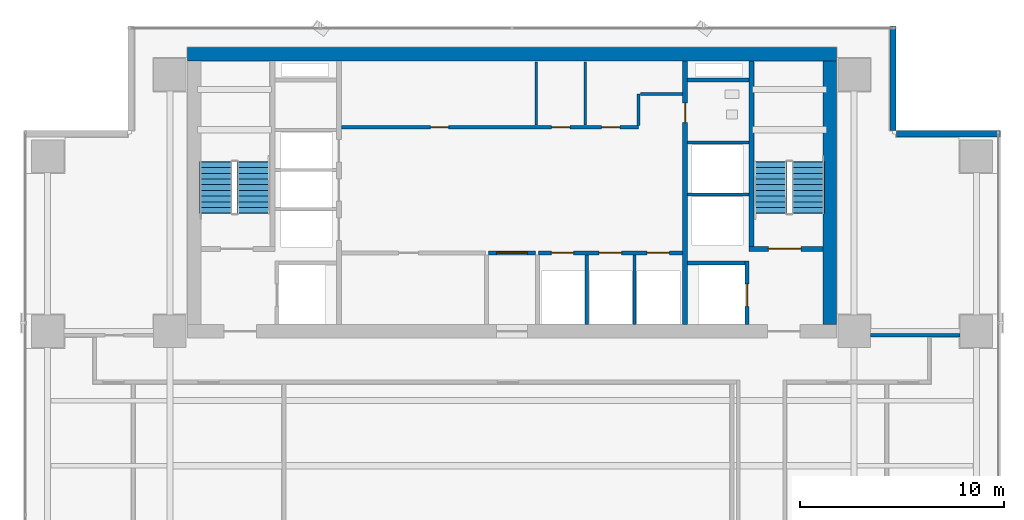
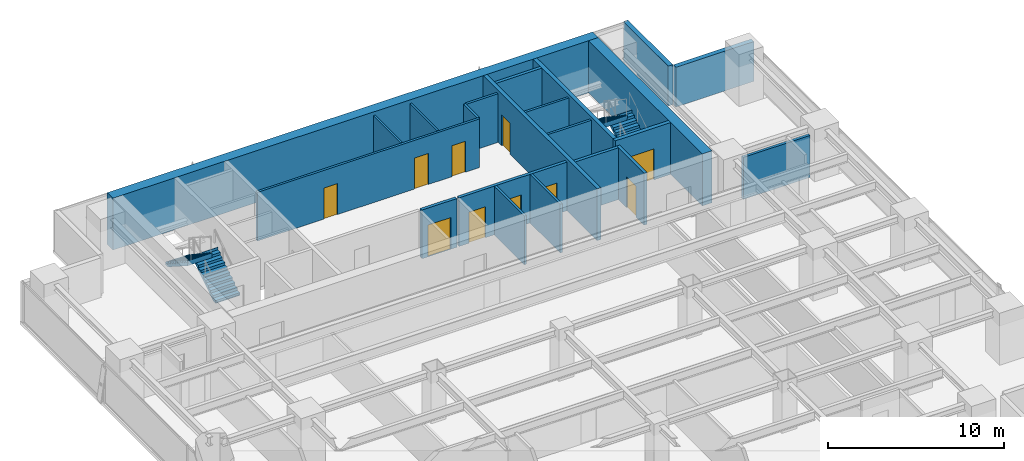
# One storey, part 22 of 28: 22 walls, 10 doors, 4 stair flights, 10 openings, 2 elements without a shape of their own.
"""IFC4 building model written with IfcOpenShell, lengths in metres."""

from ifc_helpers import new_model, si_unit, direction, frame, frame_2d, origin, place, context, subcontext, project, spatial, polyline, rectangle, outline, extrude, source, transform, mapped, material, layer, layer_set, type_object, element, fill, aggregate, save


model = new_model("IFC4")

# Units and contexts
model_context = context("Model", 3, precision=1e-05, world=origin(), true_north=direction((0.0, 1.0)))
body_context = subcontext(model_context, "Body", "Model", "MODEL_VIEW")
ifc_project = project(units=[si_unit("LENGTHUNIT", "METRE"), si_unit("AREAUNIT", "SQUARE_METRE"), si_unit("VOLUMEUNIT", "CUBIC_METRE"), si_unit("PLANEANGLEUNIT", "RADIAN"), si_unit("MASSUNIT", "GRAM", prefix="KILO")], contexts=[model_context])

# Site, building, storey
site_placement = place(None, origin())
site = spatial("IfcSite", under=ifc_project, at=site_placement, CompositionType="ELEMENT")
building_placement = place(site_placement, origin())
building = spatial("IfcBuilding", under=site, at=building_placement, Name="Sumidabori Civic Tower", CompositionType="ELEMENT")
storey_placement = place(building_placement, frame((0.0, 0.0, 174.800048828125)))
storey = spatial("IfcBuildingStorey", under=building, at=storey_placement, Name="L45", CompositionType="ELEMENT", Elevation=174.800048828125)

# Walls
ifc_material_1 = material(Name="Concrete C50/60", Category="concrete")
ifc_layer_1 = layer(ifc_material_1, 0.199951171875, Name="Concrete C50/60")
ifc_layer_set_1 = layer_set([ifc_layer_1], Name="Concrete C50/60")
wall_type_1 = type_object("IfcWallType", Name="WL-SHAFT-200", PredefinedType="SHEAR", material=ifc_layer_set_1)
shared_shape_1 = source(origin(), body_context, "Body", "SweptSolid", [
    extrude(rectangle(XDim=2.824951171875, YDim=0.199951171875, at=frame_2d((1.41259765625, 0.0))), origin(), (0.0, 0.0, 1.0), 3.599853515625),
])
wall_1_placement = place(storey_placement, frame((8.625, 13.550048828125, 0.0), z_axis=(0.0, 0.0, 1.0), x_axis=(1.0, 0.0, 0.0)))
element("IfcWall", 1, at=wall_1_placement, inside=storey, type_object=wall_type_1, Name="Core Shear Wall L45 EL2-N", PredefinedType="SHEAR", context=body_context, shape_type="MappedRepresentation", body=[
    mapped(shared_shape_1, transform((0.0, 0.0, 0.0), x_axis=(1.0, 0.0, 0.0), y_axis=(0.0, 1.0, 0.0), z_axis=(0.0, 0.0, 1.0), scale=1.0)),
])
shared_shape_2 = source(origin(), body_context, "Body", "SweptSolid", [
    extrude(rectangle(XDim=3.02001953125, YDim=0.199951171875, at=frame_2d((1.510009765625, 0.0))), origin(), (0.0, 0.0, 1.0), 3.599853515625),
])
wall_2_placement = place(storey_placement, frame((8.625, 22.550048828125, 0.0), z_axis=(0.0, 0.0, 1.0), x_axis=(1.0, 0.0, 0.0)))
element("IfcWall", 2, at=wall_2_placement, inside=storey, type_object=wall_type_1, Name="Core Shear Wall L45 RIS2-S", PredefinedType="SHEAR", context=body_context, shape_type="MappedRepresentation", body=[
    mapped(shared_shape_2, transform((0.0, 0.0, 0.0), x_axis=(1.0, 0.0, 0.0), y_axis=(0.0, 1.0, 0.0), z_axis=(0.0, 0.0, 1.0), scale=1.0)),
])
ifc_material_2 = material(Name="Concrete C60/75", Category="concrete")
ifc_layer_2 = layer(ifc_material_2, 0.64990234375, Name="Concrete C60/75")
ifc_layer_set_2 = layer_set([ifc_layer_2], Name="Concrete C60/75")
wall_type_2 = type_object("IfcWallType", Name="WL-CORE-650", PredefinedType="SHEAR", material=ifc_layer_set_2)
shared_shape_3 = source(origin(), body_context, "Body", "SweptSolid", [
    extrude(rectangle(XDim=31.85009765625, YDim=0.64990234375, at=frame_2d((15.925048828125, 0.0))), origin(), (0.0, 0.0, 1.0), 3.599853515625),
])
wall_3_placement = place(storey_placement, frame((-15.925048828125, 23.800048828125, 0.0), z_axis=(0.0, 0.0, 1.0), x_axis=(1.0, 0.0, 0.0)))
element("IfcWall", 3, at=wall_3_placement, inside=storey, type_object=wall_type_2, Name="Core Shear Wall L45 N", PredefinedType="SHEAR", context=body_context, shape_type="MappedRepresentation", body=[
    mapped(shared_shape_3, transform((0.0, 0.0, 0.0), x_axis=(1.0, 0.0, 0.0), y_axis=(0.0, 1.0, 0.0), z_axis=(0.0, 0.0, 1.0), scale=1.0)),
])
shared_shape_4 = source(origin(), body_context, "Body", "SweptSolid", [
    extrude(rectangle(XDim=12.9501953125, YDim=0.64990234375, at=frame_2d((6.47509765625, 0.0))), origin(), (0.0, 0.0, 1.0), 3.599853515625),
])
wall_4_placement = place(storey_placement, frame((15.60009765625, 10.52490234375, 0.0), z_axis=(0.0, 0.0, 1.0), x_axis=(0.0, 1.0, 0.0)))
element("IfcWall", 4, at=wall_4_placement, inside=storey, type_object=wall_type_2, Name="Core Shear Wall L45 E", PredefinedType="SHEAR", context=body_context, shape_type="MappedRepresentation", body=[
    mapped(shared_shape_4, transform((0.0, 0.0, 0.0), x_axis=(1.0, 0.0, 0.0), y_axis=(0.0, 1.0, 0.0), z_axis=(0.0, 0.0, 1.0), scale=1.0)),
])

# Wall, opening, door
ifc_layer_3 = layer(ifc_material_1, 0.25, Name="Concrete C50/60")
ifc_layer_set_3 = layer_set([ifc_layer_3], Name="Concrete C50/60")
wall_type_3 = type_object("IfcWallType", Name="WL-SHAFT-250", PredefinedType="SHEAR", material=ifc_layer_set_3)
shared_shape_5 = source(origin(), body_context, "Body", "SweptSolid", [
    extrude(rectangle(XDim=12.9501953125, YDim=0.25, at=frame_2d((6.47509765625, 0.0))), origin(), (0.0, 0.0, 1.0), 3.599853515625),
])
wall_5_placement = place(storey_placement, frame((8.5, 10.52490234375, 0.0), z_axis=(0.0, 0.0, 1.0), x_axis=(0.0, 1.0, 0.0)))
wall_5 = element("IfcWall", 5, at=wall_5_placement, inside=storey, type_object=wall_type_3, Name="Core Shear Wall L45 WEB-E", PredefinedType="SHEAR", context=body_context, shape_type="MappedRepresentation", body=[
    mapped(shared_shape_5, transform((0.0, 0.0, 0.0), x_axis=(1.0, 0.0, 0.0), y_axis=(0.0, 1.0, 0.0), z_axis=(0.0, 0.0, 1.0), scale=1.0)),
])
opening_1_placement = place(wall_5_placement, frame((9.925048828125, 0.0, 0.0)))
opening_1 = element("IfcOpeningElement", 6, at=opening_1_placement, cuts=wall_5, Name="Opening DR-2", PredefinedType="OPENING", context=body_context, shape_type="SweptSolid", body=[
    extrude(rectangle(XDim=0.949951171875, YDim=2.14990234375, at=frame_2d((0.47509765625, 1.074951171875))), frame((0.0, 0.136962890625, 0.0), z_axis=(0.0, -1.0, 0.0), x_axis=(1.0, 0.0, 0.0)), (0.0, 0.0, 1.0), 0.27392578125),
])
ifc_material_3 = material(Name="Japanese Hinoki Timber", Category="wood")
door_type_1 = type_object("IfcDoorType", Name="DR-INT-950", OperationType="NOTDEFINED", PredefinedType="DOOR", material=ifc_material_3)
shared_shape_6 = source(origin(), body_context, "Body", "SweptSolid", [
    extrude(rectangle(XDim=0.949951171875, YDim=2.14990234375, at=frame_2d((0.47509765625, 1.074951171875))), frame((0.0, 0.02490234375, 0.0), z_axis=(0.0, -1.0, 0.0), x_axis=(1.0, 0.0, 0.0)), (0.0, 0.0, 1.0), 0.050048828125),
])
door_1_placement = place(opening_1_placement, origin())
door_1 = element("IfcDoor", 7, at=door_1_placement, inside=storey, type_object=door_type_1, Name="Door DR:L45:WC-ACC", OperationType="SINGLE_SWING_RIGHT", OverallHeight=2.14990234375, OverallWidth=0.949951171875, PredefinedType="DOOR", context=body_context, shape_type="MappedRepresentation", body=[
    mapped(shared_shape_6, transform((0.0, 0.0, 0.0), x_axis=(1.0, 0.0, 0.0), y_axis=(0.0, 1.0, 0.0), z_axis=(0.0, 0.0, 1.0), scale=1.0)),
])
fill(opening_1, door_1)

shared_shape_7 = source(origin(), body_context, "Body", "SweptSolid", [
    extrude(rectangle(XDim=3.6298828125, YDim=0.25, at=frame_2d((1.81494140625, 0.0))), origin(), (0.0, 0.0, 1.0), 3.599853515625),
])
wall_6_placement = place(storey_placement, frame((11.64501953125, 14.25, 0.0), z_axis=(0.0, 0.0, 1.0), x_axis=(1.0, 0.0, 0.0)))
wall_6 = element("IfcWall", 8, at=wall_6_placement, inside=storey, type_object=wall_type_3, Name="Core Shear Wall L45 ST2-S", PredefinedType="SHEAR", context=body_context, shape_type="MappedRepresentation", body=[
    mapped(shared_shape_7, transform((0.0, 0.0, 0.0), x_axis=(1.0, 0.0, 0.0), y_axis=(0.0, 1.0, 0.0), z_axis=(0.0, 0.0, 1.0), scale=1.0)),
])
opening_2_placement = place(wall_6_placement, frame((0.949951171875, 0.0, 0.0)))
opening_2 = element("IfcOpeningElement", 9, at=opening_2_placement, cuts=wall_6, Name="Opening DR-FD4", PredefinedType="OPENING", context=body_context, shape_type="SweptSolid", body=[
    extrude(rectangle(XDim=1.60009765625, YDim=2.14990234375, at=frame_2d((0.800048828125, 1.074951171875))), frame((0.0, 0.136962890625, 0.0), z_axis=(0.0, -1.0, 0.0), x_axis=(1.0, 0.0, 0.0)), (0.0, 0.0, 1.0), 0.27392578125),
])
ifc_material_4 = material(Name="Steel SN490", Category="steel")
door_type_2 = type_object("IfcDoorType", Name="DR-FD4", OperationType="DOUBLE_DOOR_SINGLE_SWING", PredefinedType="DOOR", material=ifc_material_4)
shared_shape_8 = source(origin(), body_context, "Body", "SweptSolid", [
    extrude(rectangle(XDim=1.60009765625, YDim=2.14990234375, at=frame_2d((0.800048828125, 1.074951171875))), frame((0.0, 0.02490234375, 0.0), z_axis=(0.0, -1.0, 0.0), x_axis=(1.0, 0.0, 0.0)), (0.0, 0.0, 1.0), 0.050048828125),
])
door_2_placement = place(opening_2_placement, origin())
door_2 = element("IfcDoor", 10, at=door_2_placement, inside=storey, type_object=door_type_2, Name="Door DR:L45:ST2", OperationType="DOUBLE_DOOR_SINGLE_SWING", OverallHeight=2.14990234375, OverallWidth=1.60009765625, PredefinedType="DOOR", context=body_context, shape_type="MappedRepresentation", body=[
    mapped(shared_shape_8, transform((0.0, 0.0, 0.0), x_axis=(1.0, 0.0, 0.0), y_axis=(0.0, 1.0, 0.0), z_axis=(0.0, 0.0, 1.0), scale=1.0)),
])
fill(opening_2, door_2)

# Wall
shared_shape_9 = source(origin(), body_context, "Body", "SweptSolid", [
    extrude(rectangle(XDim=9.10009765625, YDim=0.25, at=frame_2d((4.550048828125, 0.0))), origin(), (0.0, 0.0, 1.0), 3.599853515625),
])
wall_7_placement = place(storey_placement, frame((11.77001953125, 14.375, 0.0), z_axis=(0.0, 0.0, 1.0), x_axis=(0.0, 1.0, 0.0)))
element("IfcWall", 11, at=wall_7_placement, inside=storey, type_object=wall_type_3, Name="Core Shear Wall L45 ST2-W", PredefinedType="SHEAR", context=body_context, shape_type="MappedRepresentation", body=[
    mapped(shared_shape_9, transform((0.0, 0.0, 0.0), x_axis=(1.0, 0.0, 0.0), y_axis=(0.0, 1.0, 0.0), z_axis=(0.0, 0.0, 1.0), scale=1.0)),
])

# Wall, opening, door
shared_shape_10 = source(origin(), body_context, "Body", "SweptSolid", [
    extrude(rectangle(XDim=3.125, YDim=0.199951171875, at=frame_2d((1.5625, 0.0))), origin(), (0.0, 0.0, 1.0), 3.599853515625),
])
wall_8_placement = place(storey_placement, frame((11.550048828125, 10.52490234375, 0.0), z_axis=(0.0, 0.0, 1.0), x_axis=(0.0, 1.0, 0.0)))
wall_8 = element("IfcWall", 12, at=wall_8_placement, inside=storey, type_object=wall_type_1, Name="Core Shear Wall L45 EL2-E", PredefinedType="SHEAR", context=body_context, shape_type="MappedRepresentation", body=[
    mapped(shared_shape_10, transform((0.0, 0.0, 0.0), x_axis=(1.0, 0.0, 0.0), y_axis=(0.0, 1.0, 0.0), z_axis=(0.0, 0.0, 1.0), scale=1.0)),
])
opening_3_placement = place(wall_8_placement, frame((0.89990234375, 0.0, 0.0)))
opening_3 = element("IfcOpeningElement", 13, at=opening_3_placement, cuts=wall_8, Name="Opening LD-2", PredefinedType="OPENING", context=body_context, shape_type="SweptSolid", body=[
    extrude(rectangle(XDim=1.10009765625, YDim=2.14990234375, at=frame_2d((0.550048828125, 1.074951171875))), frame((0.0, 0.11181640625, 0.0), z_axis=(0.0, -1.0, 0.0), x_axis=(1.0, 0.0, 0.0)), (0.0, 0.0, 1.0), 0.223876953125),
])
ifc_material_5 = material(Name="Stainless Steel Hairline Finish", Category="steel")
door_type_3 = type_object("IfcDoorType", Name="DR-LD2", OperationType="DOUBLE_DOOR_SLIDING", PredefinedType="DOOR", material=ifc_material_5)
shared_shape_11 = source(origin(), body_context, "Body", "SweptSolid", [
    extrude(rectangle(XDim=1.10009765625, YDim=2.14990234375, at=frame_2d((0.550048828125, 1.074951171875))), frame((0.0, 0.02490234375, 0.0), z_axis=(0.0, -1.0, 0.0), x_axis=(1.0, 0.0, 0.0)), (0.0, 0.0, 1.0), 0.050048828125),
])
door_3_placement = place(opening_3_placement, origin())
door_3 = element("IfcDoor", 14, at=door_3_placement, inside=storey, type_object=door_type_3, Name="Door DR:L45:LD-EL2", OperationType="DOUBLE_DOOR_SLIDING", OverallHeight=2.14990234375, OverallWidth=1.10009765625, PredefinedType="DOOR", context=body_context, shape_type="MappedRepresentation", body=[
    mapped(shared_shape_11, transform((0.0, 0.0, 0.0), x_axis=(1.0, 0.0, 0.0), y_axis=(0.0, 1.0, 0.0), z_axis=(0.0, 0.0, 1.0), scale=1.0)),
])
fill(opening_3, door_3)

# Walls
ifc_material_6 = material(Name="Precast concrete C40/50", Category="concrete")
ifc_layer_4 = layer(ifc_material_6, 0.300048828125, Name="Precast concrete C40/50")
ifc_layer_set_4 = layer_set([ifc_layer_4], Name="Precast concrete C40/50")
wall_type_4 = type_object("IfcWallType", Name="WL-EXT-POD300", PredefinedType="STANDARD", material=ifc_layer_set_4)
shared_shape_12 = source(origin(), body_context, "Body", "SweptSolid", [
    extrude(rectangle(XDim=5.10986328125, YDim=0.300048828125, at=frame_2d((2.554931640625, 0.0))), origin(), (0.0, 0.0, 1.0), 2.760009765625),
])
for number, where, z_axis, x_axis, name in (
    (15, (23.97998046875, 19.89990234375, 0.0), (0.0, 0.0, 1.0), (-1.0, 0.0, 0.0), "Notched Corner Spandrel Band L45-05"),
    (16, (18.699951171875, 20.070068359375, 0.0), (0.0, 0.0, 1.0), (0.0, 1.0, 0.0), "Notched Corner Spandrel Band L45-06"),
):
    element("IfcWall", number, at=place(storey_placement, frame(where, z_axis=z_axis, x_axis=x_axis)), inside=storey, type_object=wall_type_4, Name=name, PredefinedType="STANDARD", context=body_context, shape_type="MappedRepresentation", body=[
        mapped(shared_shape_12, transform((0.0, 0.0, 0.0), x_axis=(1.0, 0.0, 0.0), y_axis=(0.0, 1.0, 0.0), z_axis=(0.0, 0.0, 1.0), scale=1.0)),
    ])
ifc_material_7 = material(Name="Gypsum Plasterboard Acoustic Partition")
ifc_layer_5 = layer(ifc_material_7, 0.14990234375, Name="Gypsum Plasterboard Acoustic Partition")
ifc_layer_set_5 = layer_set([ifc_layer_5], Name="Gypsum Plasterboard Acoustic Partition")
wall_type_5 = type_object("IfcWallType", Name="WL-PART-150", PredefinedType="PARTITIONING", material=ifc_layer_set_5)
shared_shape_13 = source(origin(), body_context, "Body", "SweptSolid", [
    extrude(rectangle(XDim=3.010009765625, YDim=0.14990234375, at=frame_2d((1.5048828125, 0.0))), origin(), (0.0, 0.0, 1.0), 3.3798828125),
])
for number, where, z_axis, x_axis, name in (
    (17, (8.6298828125, 16.919921875, 0.0), (0.0, 0.0, 1.0), (1.0, 0.0, 0.0), "Interior Partition WL:L45:DIV-OBS1"),
    (18, (8.6298828125, 19.469970703125, 0.0), (0.0, 0.0, 1.0), (1.0, 0.0, 0.0), "Interior Partition WL:L45:DIV-OBS2"),
):
    element("IfcWall", number, at=place(storey_placement, frame(where, z_axis=z_axis, x_axis=x_axis)), inside=storey, type_object=wall_type_5, Name=name, PredefinedType="PARTITIONING", context=body_context, shape_type="MappedRepresentation", body=[
        mapped(shared_shape_13, transform((0.0, 0.0, 0.0), x_axis=(1.0, 0.0, 0.0), y_axis=(0.0, 1.0, 0.0), z_axis=(0.0, 0.0, 1.0), scale=1.0)),
    ])

# Wall, openings, doors
ifc_material_8 = material(Name="Gypsum Plasterboard Fire Partition")
ifc_layer_6 = layer(ifc_material_8, 0.199951171875, Name="Gypsum Plasterboard Fire Partition")
ifc_layer_set_6 = layer_set([ifc_layer_6], Name="Gypsum Plasterboard Fire Partition")
wall_type_6 = type_object("IfcWallType", Name="WL-PART-FIRE", PredefinedType="PARTITIONING", material=ifc_layer_set_6)
shared_shape_14 = source(origin(), body_context, "Body", "SweptSolid", [
    extrude(rectangle(XDim=7.070068359375, YDim=0.199951171875, at=frame_2d((3.53515625, 0.0))), origin(), (0.0, 0.0, 1.0), 3.3798828125),
])
wall_9_placement = place(storey_placement, frame((1.300048828125, 14.050048828125, 0.0), z_axis=(0.0, 0.0, 1.0), x_axis=(1.0, 0.0, 0.0)))
wall_9 = element("IfcWall", 19, at=wall_9_placement, inside=storey, type_object=wall_type_6, Name="Interior Partition WL:L45:CBAND-SE", PredefinedType="PARTITIONING", context=body_context, shape_type="MappedRepresentation", body=[
    mapped(shared_shape_14, transform((0.0, 0.0, 0.0), x_axis=(1.0, 0.0, 0.0), y_axis=(0.0, 1.0, 0.0), z_axis=(0.0, 0.0, 1.0), scale=1.0)),
])
opening_4_placement = place(wall_9_placement, frame((0.6298828125, 0.0, 0.0)))
opening_4 = element("IfcOpeningElement", 20, at=opening_4_placement, cuts=wall_9, Name="Opening LD-1", PredefinedType="OPENING", context=body_context, shape_type="SweptSolid", body=[
    extrude(rectangle(XDim=1.10009765625, YDim=2.14990234375, at=frame_2d((0.550048828125, 1.074951171875))), frame((0.0, 0.11181640625, 0.0), z_axis=(0.0, -1.0, 0.0), x_axis=(1.0, 0.0, 0.0)), (0.0, 0.0, 1.0), 0.223876953125),
])
opening_5_placement = place(wall_9_placement, frame((2.97998046875, 0.0, 0.0)))
opening_5 = element("IfcOpeningElement", 21, at=opening_5_placement, cuts=wall_9, Name="Opening LD-1", PredefinedType="OPENING", context=body_context, shape_type="SweptSolid", body=[
    extrude(rectangle(XDim=1.10009765625, YDim=2.14990234375, at=frame_2d((0.550048828125, 1.074951171875))), frame((0.0, 0.11181640625, 0.0), z_axis=(0.0, -1.0, 0.0), x_axis=(1.0, 0.0, 0.0)), (0.0, 0.0, 1.0), 0.223876953125),
])
opening_6_placement = place(wall_9_placement, frame((5.330078125, 0.0, 0.0)))
opening_6 = element("IfcOpeningElement", 22, at=opening_6_placement, cuts=wall_9, Name="Opening LD-1", PredefinedType="OPENING", context=body_context, shape_type="SweptSolid", body=[
    extrude(rectangle(XDim=1.10009765625, YDim=2.14990234375, at=frame_2d((0.550048828125, 1.074951171875))), frame((0.0, 0.11181640625, 0.0), z_axis=(0.0, -1.0, 0.0), x_axis=(1.0, 0.0, 0.0)), (0.0, 0.0, 1.0), 0.223876953125),
])
door_type_4 = type_object("IfcDoorType", Name="DR-LD1", OperationType="DOUBLE_DOOR_SLIDING", PredefinedType="DOOR", material=ifc_material_5)
door_4_placement = place(opening_4_placement, origin())
door_4 = element("IfcDoor", 23, at=door_4_placement, inside=storey, type_object=door_type_4, Name="Door DR:L45:LD-PLM1", OperationType="DOUBLE_DOOR_SLIDING", OverallHeight=2.14990234375, OverallWidth=1.10009765625, PredefinedType="DOOR", context=body_context, shape_type="MappedRepresentation", body=[
    mapped(shared_shape_11, transform((0.0, 0.0, 0.0), x_axis=(1.0, 0.0, 0.0), y_axis=(0.0, 1.0, 0.0), z_axis=(0.0, 0.0, 1.0), scale=1.0)),
])
fill(opening_4, door_4)
door_5_placement = place(opening_5_placement, origin())
door_5 = element("IfcDoor", 24, at=door_5_placement, inside=storey, type_object=door_type_4, Name="Door DR:L45:LD-PLM2", OperationType="DOUBLE_DOOR_SLIDING", OverallHeight=2.14990234375, OverallWidth=1.10009765625, PredefinedType="DOOR", context=body_context, shape_type="MappedRepresentation", body=[
    mapped(shared_shape_11, transform((0.0, 0.0, 0.0), x_axis=(1.0, 0.0, 0.0), y_axis=(0.0, 1.0, 0.0), z_axis=(0.0, 0.0, 1.0), scale=1.0)),
])
fill(opening_5, door_5)
door_6_placement = place(opening_6_placement, origin())
door_6 = element("IfcDoor", 25, at=door_6_placement, inside=storey, type_object=door_type_4, Name="Door DR:L45:LD-PLM3", OperationType="DOUBLE_DOOR_SLIDING", OverallHeight=2.14990234375, OverallWidth=1.10009765625, PredefinedType="DOOR", context=body_context, shape_type="MappedRepresentation", body=[
    mapped(shared_shape_11, transform((0.0, 0.0, 0.0), x_axis=(1.0, 0.0, 0.0), y_axis=(0.0, 1.0, 0.0), z_axis=(0.0, 0.0, 1.0), scale=1.0)),
])
fill(opening_6, door_6)

# Wall, opening, door
shared_shape_15 = source(origin(), body_context, "Body", "SweptSolid", [
    extrude(rectangle(XDim=2.2998046875, YDim=0.199951171875, at=frame_2d((1.14990234375, 0.0))), origin(), (0.0, 0.0, 1.0), 3.3798828125),
])
wall_10_placement = place(storey_placement, frame((-1.14990234375, 14.050048828125, 0.0), z_axis=(0.0, 0.0, 1.0), x_axis=(1.0, 0.0, 0.0)))
wall_10 = element("IfcWall", 26, at=wall_10_placement, inside=storey, type_object=wall_type_6, Name="Interior Partition WL:L45:THROAT-N", PredefinedType="PARTITIONING", context=body_context, shape_type="MappedRepresentation", body=[
    mapped(shared_shape_15, transform((0.0, 0.0, 0.0), x_axis=(1.0, 0.0, 0.0), y_axis=(0.0, 1.0, 0.0), z_axis=(0.0, 0.0, 1.0), scale=1.0)),
])
opening_7_placement = place(wall_10_placement, frame((0.39990234375, 0.0, 0.0)))
opening_7 = element("IfcOpeningElement", 27, at=opening_7_placement, cuts=wall_10, Name="Opening DR-FD3", PredefinedType="OPENING", context=body_context, shape_type="SweptSolid", body=[
    extrude(rectangle(XDim=1.5, YDim=2.199951171875, at=frame_2d((0.75, 1.10009765625))), frame((0.0, 0.11181640625, 0.0), z_axis=(0.0, -1.0, 0.0), x_axis=(1.0, 0.0, 0.0)), (0.0, 0.0, 1.0), 0.223876953125),
])
door_type_5 = type_object("IfcDoorType", Name="DR-FD-DBL", OperationType="DOUBLE_DOOR_SINGLE_SWING", PredefinedType="DOOR", material=ifc_material_4)
shared_shape_16 = source(origin(), body_context, "Body", "SweptSolid", [
    extrude(rectangle(XDim=1.5, YDim=2.199951171875, at=frame_2d((0.75, 1.10009765625))), frame((0.0, 0.02490234375, 0.0), z_axis=(0.0, -1.0, 0.0), x_axis=(1.0, 0.0, 0.0)), (0.0, 0.0, 1.0), 0.050048828125),
])
door_7_placement = place(opening_7_placement, origin())
door_7 = element("IfcDoor", 28, at=door_7_placement, inside=storey, type_object=door_type_5, Name="Door DR:L45:THROAT-IN", OperationType="DOUBLE_DOOR_SINGLE_SWING", OverallHeight=2.199951171875, OverallWidth=1.5, PredefinedType="DOOR", context=body_context, shape_type="MappedRepresentation", body=[
    mapped(shared_shape_16, transform((0.0, 0.0, 0.0), x_axis=(1.0, 0.0, 0.0), y_axis=(0.0, 1.0, 0.0), z_axis=(0.0, 0.0, 1.0), scale=1.0)),
])
fill(opening_7, door_7)

# Wall, openings, doors
shared_shape_17 = source(origin(), body_context, "Body", "SweptSolid", [
    extrude(rectangle(XDim=14.590087890625, YDim=0.14990234375, at=frame_2d((7.294921875, 0.0))), origin(), (0.0, 0.0, 1.0), 3.3798828125),
])
wall_11_placement = place(storey_placement, frame((-8.3701171875, 20.219970703125, 0.0), z_axis=(0.0, 0.0, 1.0), x_axis=(1.0, 0.0, 0.0)))
wall_11 = element("IfcWall", 29, at=wall_11_placement, inside=storey, type_object=wall_type_5, Name="Interior Partition WL:L45:CBAND-M", PredefinedType="PARTITIONING", context=body_context, shape_type="MappedRepresentation", body=[
    mapped(shared_shape_17, transform((0.0, 0.0, 0.0), x_axis=(1.0, 0.0, 0.0), y_axis=(0.0, 1.0, 0.0), z_axis=(0.0, 0.0, 1.0), scale=1.0)),
])
opening_8_placement = place(wall_11_placement, frame((4.360107421875, 0.0, 0.0)))
opening_8 = element("IfcOpeningElement", 30, at=opening_8_placement, cuts=wall_11, Name="Opening DR-1", PredefinedType="OPENING", context=body_context, shape_type="SweptSolid", body=[
    extrude(rectangle(XDim=0.89990234375, YDim=2.14990234375, at=frame_2d((0.449951171875, 1.074951171875))), frame((0.0, 0.0869140625, 0.0), z_axis=(0.0, -1.0, 0.0), x_axis=(1.0, 0.0, 0.0)), (0.0, 0.0, 1.0), 0.173828125),
])
opening_9_placement = place(wall_11_placement, frame((10.320068359375, 0.0, 0.0)))
opening_9 = element("IfcOpeningElement", 31, at=opening_9_placement, cuts=wall_11, Name="Opening DR-1", PredefinedType="OPENING", context=body_context, shape_type="SweptSolid", body=[
    extrude(rectangle(XDim=0.89990234375, YDim=2.14990234375, at=frame_2d((0.449951171875, 1.074951171875))), frame((0.0, 0.0869140625, 0.0), z_axis=(0.0, -1.0, 0.0), x_axis=(1.0, 0.0, 0.0)), (0.0, 0.0, 1.0), 0.173828125),
])
opening_10_placement = place(wall_11_placement, frame((12.77001953125, 0.0, 0.0)))
opening_10 = element("IfcOpeningElement", 32, at=opening_10_placement, cuts=wall_11, Name="Opening DR-1", PredefinedType="OPENING", context=body_context, shape_type="SweptSolid", body=[
    extrude(rectangle(XDim=0.89990234375, YDim=2.14990234375, at=frame_2d((0.449951171875, 1.074951171875))), frame((0.0, 0.0869140625, 0.0), z_axis=(0.0, -1.0, 0.0), x_axis=(1.0, 0.0, 0.0)), (0.0, 0.0, 1.0), 0.173828125),
])
door_type_6 = type_object("IfcDoorType", Name="DR-INT-900", OperationType="NOTDEFINED", PredefinedType="DOOR", material=ifc_material_3)
shared_shape_18 = source(origin(), body_context, "Body", "SweptSolid", [
    extrude(rectangle(XDim=0.89990234375, YDim=2.14990234375, at=frame_2d((0.449951171875, 1.074951171875))), frame((0.0, 0.02490234375, 0.0), z_axis=(0.0, -1.0, 0.0), x_axis=(1.0, 0.0, 0.0)), (0.0, 0.0, 1.0), 0.050048828125),
])
door_8_placement = place(opening_8_placement, origin())
door_8 = element("IfcDoor", 33, at=door_8_placement, inside=storey, type_object=door_type_6, Name="Door DR:L45:CB-1", OperationType="SINGLE_SWING_LEFT", OverallHeight=2.14990234375, OverallWidth=0.89990234375, PredefinedType="DOOR", context=body_context, shape_type="MappedRepresentation", body=[
    mapped(shared_shape_18, transform((0.0, 0.0, 0.0), x_axis=(1.0, 0.0, 0.0), y_axis=(0.0, 1.0, 0.0), z_axis=(0.0, 0.0, 1.0), scale=1.0)),
])
fill(opening_8, door_8)
door_9_placement = place(opening_9_placement, origin())
door_9 = element("IfcDoor", 34, at=door_9_placement, inside=storey, type_object=door_type_6, Name="Door DR:L45:CB-2", OperationType="SINGLE_SWING_RIGHT", OverallHeight=2.14990234375, OverallWidth=0.89990234375, PredefinedType="DOOR", context=body_context, shape_type="MappedRepresentation", body=[
    mapped(shared_shape_18, transform((0.0, 0.0, 0.0), x_axis=(1.0, 0.0, 0.0), y_axis=(0.0, 1.0, 0.0), z_axis=(0.0, 0.0, 1.0), scale=1.0)),
])
fill(opening_9, door_9)
door_10_placement = place(opening_10_placement, origin())
door_10 = element("IfcDoor", 35, at=door_10_placement, inside=storey, type_object=door_type_6, Name="Door DR:L45:CB-3", OperationType="SINGLE_SWING_LEFT", OverallHeight=2.14990234375, OverallWidth=0.89990234375, PredefinedType="DOOR", context=body_context, shape_type="MappedRepresentation", body=[
    mapped(shared_shape_18, transform((0.0, 0.0, 0.0), x_axis=(1.0, 0.0, 0.0), y_axis=(0.0, 1.0, 0.0), z_axis=(0.0, 0.0, 1.0), scale=1.0)),
])
fill(opening_10, door_10)

# Walls
shared_shape_19 = source(origin(), body_context, "Body", "SweptSolid", [
    extrude(rectangle(XDim=1.550048828125, YDim=0.14990234375, at=frame_2d((0.77490234375, 0.0))), origin(), (0.0, 0.0, 1.0), 3.3798828125),
])
wall_12_placement = place(storey_placement, frame((6.219970703125, 20.300048828125, 0.0), z_axis=(0.0, 0.0, 1.0), x_axis=(0.0, 1.0, 0.0)))
element("IfcWall", 36, at=wall_12_placement, inside=storey, type_object=wall_type_5, Name="Interior Partition WL:L45:CBAND-ME1", PredefinedType="PARTITIONING", context=body_context, shape_type="MappedRepresentation", body=[
    mapped(shared_shape_19, transform((0.0, 0.0, 0.0), x_axis=(1.0, 0.0, 0.0), y_axis=(0.0, 1.0, 0.0), z_axis=(0.0, 0.0, 1.0), scale=1.0)),
])
shared_shape_20 = source(origin(), body_context, "Body", "SweptSolid", [
    extrude(rectangle(XDim=2.070068359375, YDim=0.14990234375, at=frame_2d((1.03515625, 0.0))), origin(), (0.0, 0.0, 1.0), 3.3798828125),
])
wall_13_placement = place(storey_placement, frame((6.300048828125, 21.85009765625, 0.0), z_axis=(0.0, 0.0, 1.0), x_axis=(1.0, 0.0, 0.0)))
element("IfcWall", 37, at=wall_13_placement, inside=storey, type_object=wall_type_5, Name="Interior Partition WL:L45:CBAND-ME2", PredefinedType="PARTITIONING", context=body_context, shape_type="MappedRepresentation", body=[
    mapped(shared_shape_20, transform((0.0, 0.0, 0.0), x_axis=(1.0, 0.0, 0.0), y_axis=(0.0, 1.0, 0.0), z_axis=(0.0, 0.0, 1.0), scale=1.0)),
])
shared_shape_21 = source(origin(), body_context, "Body", "SweptSolid", [
    extrude(rectangle(XDim=3.4150390625, YDim=0.14990234375, at=frame_2d((1.70751953125, 0.0))), origin(), (0.0, 0.0, 1.0), 3.3798828125),
])
for number, where, z_axis, x_axis, name in (
    (38, (3.669921875, 10.52490234375, 0.0), (0.0, 0.0, 1.0), (0.0, 1.0, 0.0), "Interior Partition WL:L45:DIV-PLM1"),
    (39, (6.02001953125, 10.52490234375, 0.0), (0.0, 0.0, 1.0), (0.0, 1.0, 0.0), "Interior Partition WL:L45:DIV-PLM2"),
):
    element("IfcWall", number, at=place(storey_placement, frame(where, z_axis=z_axis, x_axis=x_axis)), inside=storey, type_object=wall_type_5, Name=name, PredefinedType="PARTITIONING", context=body_context, shape_type="MappedRepresentation", body=[
        mapped(shared_shape_21, transform((0.0, 0.0, 0.0), x_axis=(1.0, 0.0, 0.0), y_axis=(0.0, 1.0, 0.0), z_axis=(0.0, 0.0, 1.0), scale=1.0)),
    ])
ifc_layer_7 = layer(ifc_material_7, 0.1201171875, Name="Gypsum Plasterboard Acoustic Partition")
ifc_layer_set_7 = layer_set([ifc_layer_7], Name="Gypsum Plasterboard Acoustic Partition")
wall_type_7 = type_object("IfcWallType", Name="WL-PART-120", PredefinedType="PARTITIONING", material=ifc_layer_set_7)
shared_shape_22 = source(origin(), body_context, "Body", "SweptSolid", [
    extrude(rectangle(XDim=3.114990234375, YDim=0.1201171875, at=frame_2d((1.5576171875, 0.0))), origin(), (0.0, 0.0, 1.0), 3.3798828125),
])
for number, where, z_axis, x_axis, name in (
    (40, (1.199951171875, 20.320068359375, 0.0), (0.0, 0.0, 1.0), (0.0, 1.0, 0.0), "Interior Partition WL:L45:LV8-S1"),
    (41, (3.60009765625, 20.320068359375, 0.0), (0.0, 0.0, 1.0), (0.0, 1.0, 0.0), "Interior Partition WL:L45:LV8-S2"),
):
    element("IfcWall", number, at=place(storey_placement, frame(where, z_axis=z_axis, x_axis=x_axis)), inside=storey, type_object=wall_type_7, Name=name, PredefinedType="PARTITIONING", context=body_context, shape_type="MappedRepresentation", body=[
        mapped(shared_shape_22, transform((0.0, 0.0, 0.0), x_axis=(1.0, 0.0, 0.0), y_axis=(0.0, 1.0, 0.0), z_axis=(0.0, 0.0, 1.0), scale=1.0)),
    ])
ifc_layer_8 = layer(ifc_material_7, 0.179931640625, Name="Gypsum Plasterboard Acoustic Partition")
ifc_layer_set_8 = layer_set([ifc_layer_8], Name="Gypsum Plasterboard Acoustic Partition")
wall_type_8 = type_object("IfcWallType", Name="WL-PART-180", PredefinedType="PARTITIONING", material=ifc_layer_set_8)
shared_shape_23 = source(origin(), body_context, "Body", "SweptSolid", [
    extrude(rectangle(XDim=4.3798828125, YDim=0.179931640625, at=frame_2d((2.18994140625, 0.0))), origin(), (0.0, 0.0, 1.0), 2.9150390625),
])
wall_14_placement = place(storey_placement, frame((17.610107421875, 10.0, 0.0), z_axis=(0.0, 0.0, 1.0), x_axis=(1.0, 0.0, 0.0)))
element("IfcWall", 42, at=wall_14_placement, inside=storey, type_object=wall_type_8, Name="Interior Partition WL:L45:FLK-NE", PredefinedType="PARTITIONING", context=body_context, shape_type="MappedRepresentation", body=[
    mapped(shared_shape_23, transform((0.0, 0.0, 0.0), x_axis=(1.0, 0.0, 0.0), y_axis=(0.0, 1.0, 0.0), z_axis=(0.0, 0.0, 1.0), scale=1.0)),
])

# Stair, stair flights
ifc_material_9 = material(Name="Concrete C40/50", Category="concrete")
stair_type = type_object("IfcStairType", Name="ST-CORE-1600", PredefinedType="HALF_TURN_STAIR", material=ifc_material_9)
stair_1_placement = place(storey_placement, origin())
stair_1 = element("IfcStair", 43, at=stair_1_placement, inside=storey, type_object=stair_type, Name="L45 ST-1", PredefinedType="HALF_TURN_STAIR")
stair_flight_type = type_object("IfcStairFlightType", Name="SF-CORE-1600", PredefinedType="STRAIGHT", material=ifc_material_9)
shared_shape_24 = source(origin(), body_context, "Body", "SweptSolid", [
    extrude(outline(polyline([(-0.02490234375, 0.0), (-0.02490234375, 0.0400390625), (0.0, 0.0400390625), (0.0, 0.179931640625), (0.280029296875, 0.179931640625), (0.280029296875, 0.360107421875), (0.56005859375, 0.360107421875), (0.56005859375, 0.5400390625), (0.840087890625, 0.5400390625), (0.840087890625, 0.719970703125), (1.1201171875, 0.719970703125), (1.1201171875, 0.89990234375), (1.39990234375, 0.89990234375), (1.39990234375, 1.080078125), (1.679931640625, 1.080078125), (1.679931640625, 1.260009765625), (1.9599609375, 1.260009765625), (1.9599609375, 1.43994140625), (2.239990234375, 1.43994140625), (2.239990234375, 1.6201171875), (2.52001953125, 1.6201171875), (2.52001953125, 1.800048828125), (2.544921875, 1.800048828125), (2.544921875, 1.650146484375), (2.52001953125, 1.44189453125), (0.277099609375, 0.0), (-0.02490234375, 0.0)])), frame((0.0, 0.800048828125, 0.0), z_axis=(0.0, -1.0, 0.0), x_axis=(1.0, 0.0, 0.0)), (0.0, 0.0, 1.0), 1.60009765625),
])
stair_flight_1_placement = place(storey_placement, frame((-12.699951171875, 16.0, 0.0), z_axis=(0.0, 0.0, 1.0), x_axis=(0.0, 1.0, 0.0)))
stair_flight_1 = element("IfcStairFlight", 44, at=stair_flight_1_placement, type_object=stair_flight_type, Name="ST-1 flight 1", NumberOfRisers=10, NumberOfTreads=9, PredefinedType="STRAIGHT", RiserHeight=0.18, TreadLength=0.28, context=body_context, shape_type="MappedRepresentation", body=[
    mapped(shared_shape_24, transform((0.0, 0.0, 0.0), x_axis=(1.0, 0.0, 0.0), y_axis=(0.0, 1.0, 0.0), z_axis=(0.0, 0.0, 1.0), scale=1.0)),
])
stair_flight_2_placement = place(storey_placement, frame((-14.5400390625, 18.52001953125, 1.800048828125), z_axis=(0.0, 0.0, 1.0), x_axis=(0.0, -1.0, 0.0)))
stair_flight_2 = element("IfcStairFlight", 45, at=stair_flight_2_placement, type_object=stair_flight_type, Name="ST-1 flight 2", NumberOfRisers=10, NumberOfTreads=9, PredefinedType="STRAIGHT", RiserHeight=0.18, TreadLength=0.28, context=body_context, shape_type="MappedRepresentation", body=[
    mapped(shared_shape_24, transform((0.0, 0.0, 0.0), x_axis=(1.0, 0.0, 0.0), y_axis=(0.0, 1.0, 0.0), z_axis=(0.0, 0.0, 1.0), scale=1.0)),
])
aggregate(stair_1, [stair_flight_1, stair_flight_2])

stair_2_placement = place(storey_placement, origin())
stair_2 = element("IfcStair", 46, at=stair_2_placement, inside=storey, type_object=stair_type, Name="L45 ST-2", PredefinedType="HALF_TURN_STAIR")
stair_flight_3_placement = place(storey_placement, frame((14.5400390625, 16.0, 0.0), z_axis=(0.0, 0.0, 1.0), x_axis=(0.0, 1.0, 0.0)))
stair_flight_3 = element("IfcStairFlight", 47, at=stair_flight_3_placement, type_object=stair_flight_type, Name="ST-2 flight 1", NumberOfRisers=10, NumberOfTreads=9, PredefinedType="STRAIGHT", RiserHeight=0.18, TreadLength=0.28, context=body_context, shape_type="MappedRepresentation", body=[
    mapped(shared_shape_24, transform((0.0, 0.0, 0.0), x_axis=(1.0, 0.0, 0.0), y_axis=(0.0, 1.0, 0.0), z_axis=(0.0, 0.0, 1.0), scale=1.0)),
])
stair_flight_4_placement = place(storey_placement, frame((12.699951171875, 18.52001953125, 1.800048828125), z_axis=(0.0, 0.0, 1.0), x_axis=(0.0, -1.0, 0.0)))
stair_flight_4 = element("IfcStairFlight", 48, at=stair_flight_4_placement, type_object=stair_flight_type, Name="ST-2 flight 2", NumberOfRisers=10, NumberOfTreads=9, PredefinedType="STRAIGHT", RiserHeight=0.18, TreadLength=0.28, context=body_context, shape_type="MappedRepresentation", body=[
    mapped(shared_shape_24, transform((0.0, 0.0, 0.0), x_axis=(1.0, 0.0, 0.0), y_axis=(0.0, 1.0, 0.0), z_axis=(0.0, 0.0, 1.0), scale=1.0)),
])
aggregate(stair_2, [stair_flight_3, stair_flight_4])

save(model, "model.ifc")
